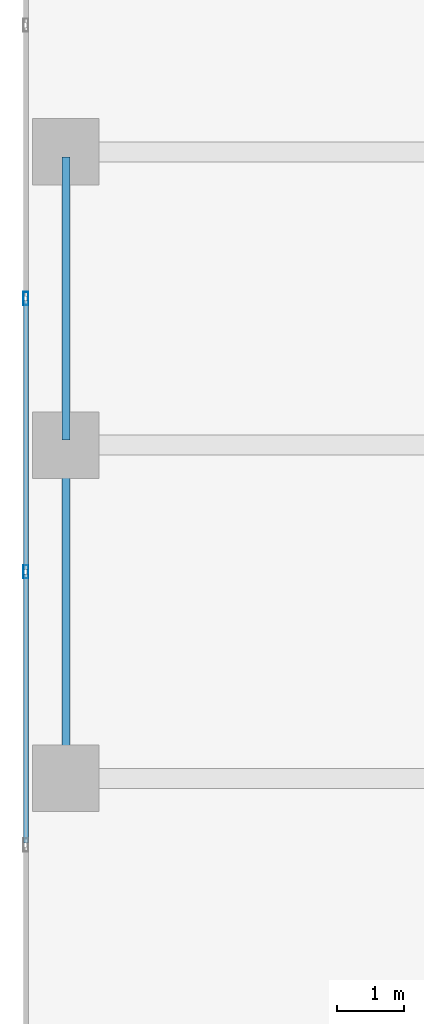
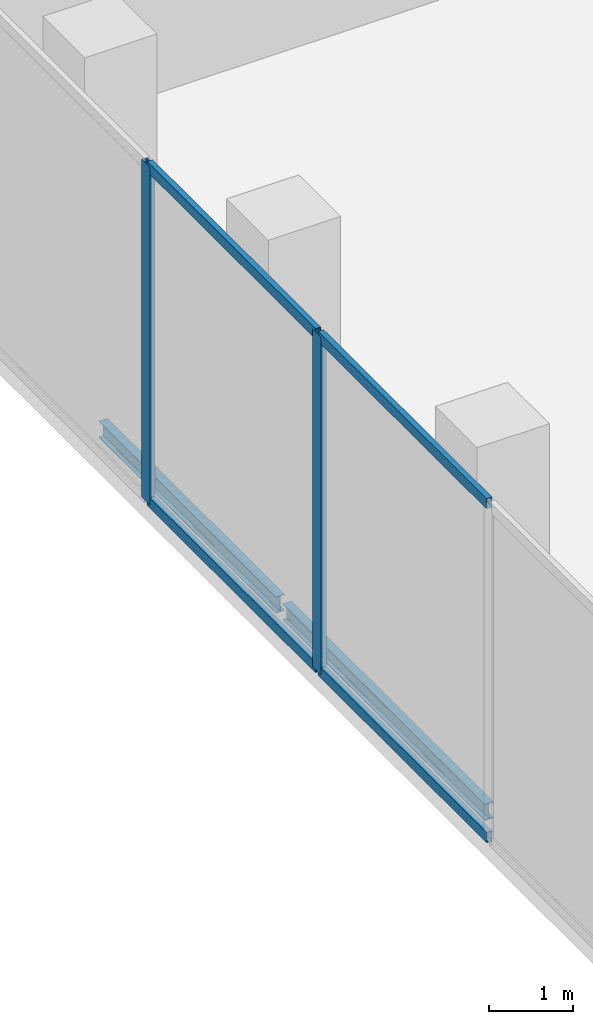
# One storey, part 3 of 24: 8 members, 1 element without a shape of its own.
"""IFC4 building model written with IfcOpenShell, lengths in metres."""

from ifc_helpers import new_model, si_unit, direction, frame, origin, origin_2d, place, context, subcontext, project, spatial, hollow_rectangle, i_section, extrude, material, layer, layer_set, material_profile, profile_set, type_object, element, aggregate, save


model = new_model("IFC4")

# Units and contexts
model_context = context("Model", 3, precision=1e-05, world=origin(), true_north=direction((0.0, 1.0)))
body_context = subcontext(model_context, "Body", "Model", "MODEL_VIEW")
ifc_project = project(units=[si_unit("LENGTHUNIT", "METRE"), si_unit("AREAUNIT", "SQUARE_METRE"), si_unit("VOLUMEUNIT", "CUBIC_METRE"), si_unit("PLANEANGLEUNIT", "RADIAN"), si_unit("MASSUNIT", "GRAM", prefix="KILO")], contexts=[model_context])

# Site, building, storey
site_placement = place(None, origin())
site = spatial("IfcSite", under=ifc_project, at=site_placement, CompositionType="ELEMENT")
building_placement = place(site_placement, origin())
building = spatial("IfcBuilding", under=site, at=building_placement, Name="Catumbela Crestline Tower", CompositionType="ELEMENT")
storey_placement = place(building_placement, frame((0.0, 0.0, 15.9)))
storey = spatial("IfcBuildingStorey", under=building, at=storey_placement, Name="L03", CompositionType="ELEMENT", Elevation=15.9)

# Members
ifc_material_1 = material(Name="Structural steel S355J2", Category="steel")
ifc_material_profile_1 = material_profile(ifc_material_1, i_section(OverallWidth=0.12, OverallDepth=0.24, WebThickness=0.0062, FlangeThickness=0.0098, FilletRadius=0.015, at=origin_2d()), Name="IPE 240")
ifc_profile_set_1 = profile_set([ifc_material_profile_1], Name="Structural steel S355J2")
member_type_1 = type_object("IfcMemberType", Name="MP-240", PredefinedType="PURLIN", material=ifc_profile_set_1)
member_1_placement = place(storey_placement, frame((0.6, 8.68, -0.44), z_axis=(0.0, 1.0, 0.0), x_axis=(-1.0, 0.0, 0.0)))
element("IfcMember", 1, at=member_1_placement, inside=storey, type_object=member_type_1, Name="L03 Ballroom West Perimeter Sub-Framing Purlin 1", PredefinedType="PURLIN", context=body_context, shape_type="SweptSolid", body=[
    extrude(i_section(OverallWidth=0.12, OverallDepth=0.24, WebThickness=0.0062, FlangeThickness=0.0098, FilletRadius=0.015, at=origin_2d()), origin(), (0.0, 0.0, 1.0), 4.84),
])
member_2_placement = place(storey_placement, frame((0.6, 13.68, -0.44), z_axis=(0.0, 1.0, 0.0), x_axis=(-1.0, 0.0, 0.0)))
element("IfcMember", 2, at=member_2_placement, inside=storey, type_object=member_type_1, Name="L03 Ballroom West Perimeter Sub-Framing Purlin 2", PredefinedType="PURLIN", context=body_context, shape_type="SweptSolid", body=[
    extrude(i_section(OverallWidth=0.12, OverallDepth=0.24, WebThickness=0.0062, FlangeThickness=0.0098, FilletRadius=0.015, at=origin_2d()), origin(), (0.0, 0.0, 1.0), 4.24),
])

# Curtain wall, members
ifc_material_2 = material(Name="Aluminium alloy AW-6060-T66", Category="aluminium")
ifc_layer = layer(ifc_material_2, 0.18, Name="Aluminium alloy AW-6060-T66")
ifc_layer_set = layer_set([ifc_layer], Name="Aluminium alloy AW-6060-T66")
curtain_wall_type = type_object("IfcCurtainWallType", Name="CWS-POD", PredefinedType="USERDEFINED", material=ifc_layer_set)
curtain_wall_placement = place(storey_placement, origin())
curtain_wall = element("IfcCurtainWall", 3, at=curtain_wall_placement, inside=storey, type_object=curtain_wall_type, Name="L03 Stick Curtain Wall CW-L03-E9S1", ObjectType="STICK", PredefinedType="USERDEFINED")
ifc_material_profile_2 = material_profile(ifc_material_2, hollow_rectangle(XDim=0.075, YDim=0.2, WallThickness=0.005, at=origin_2d()), Name="ALU 200x75x5")
ifc_profile_set_2 = profile_set([ifc_material_profile_2], Name="Aluminium alloy AW-6060-T66")
member_type_2 = type_object("IfcMemberType", Name="MUL-200X75", PredefinedType="MULLION", material=ifc_profile_set_2)
member_3_placement = place(storey_placement, frame((0.0, 15.8, 0.0), z_axis=(0.0, 0.0, 1.0), x_axis=(1.0, 0.0, 0.0)))
member_3 = element("IfcMember", 4, at=member_3_placement, type_object=member_type_2, Name="CWS-POD mullion 8", PredefinedType="MULLION", context=body_context, shape_type="SweptSolid", body=[
    extrude(hollow_rectangle(XDim=0.075, YDim=0.2, WallThickness=0.005, at=origin_2d()), origin(), (0.0, 0.0, 1.0), 4.94),
])
member_4_placement = place(storey_placement, frame((0.0, 11.7, 0.0), z_axis=(0.0, 0.0, 1.0), x_axis=(1.0, 0.0, 0.0)))
member_4 = element("IfcMember", 5, at=member_4_placement, type_object=member_type_2, Name="CWS-POD mullion 9", PredefinedType="MULLION", context=body_context, shape_type="SweptSolid", body=[
    extrude(hollow_rectangle(XDim=0.075, YDim=0.2, WallThickness=0.005, at=origin_2d()), origin(), (0.0, 0.0, 1.0), 4.94),
])
ifc_material_profile_3 = material_profile(ifc_material_2, hollow_rectangle(XDim=0.075, YDim=0.15, WallThickness=0.0045, at=origin_2d()), Name="ALU 150x75x4.5")
ifc_profile_set_3 = profile_set([ifc_material_profile_3], Name="Aluminium alloy AW-6060-T66")
member_type_3 = type_object("IfcMemberType", Name="TRN-150X75", PredefinedType="USERDEFINED", material=ifc_profile_set_3)
member_5_placement = place(storey_placement, frame((0.0, 15.7675, 0.03), z_axis=(0.0, -1.0, 0.0), x_axis=(1.0, 0.0, 0.0)))
member_5 = element("IfcMember", 6, at=member_5_placement, type_object=member_type_3, Name="CWS-POD transom 8.1", ObjectType="TRANSOM", PredefinedType="USERDEFINED", context=body_context, shape_type="SweptSolid", body=[
    extrude(hollow_rectangle(XDim=0.075, YDim=0.15, WallThickness=0.0045, at=origin_2d()), origin(), (0.0, 0.0, 1.0), 4.035),
])
member_6_placement = place(storey_placement, frame((0.0, 15.7675, 4.91), z_axis=(0.0, -1.0, 0.0), x_axis=(1.0, 0.0, 0.0)))
member_6 = element("IfcMember", 7, at=member_6_placement, type_object=member_type_3, Name="CWS-POD transom 8.2", ObjectType="TRANSOM", PredefinedType="USERDEFINED", context=body_context, shape_type="SweptSolid", body=[
    extrude(hollow_rectangle(XDim=0.075, YDim=0.15, WallThickness=0.0045, at=origin_2d()), origin(), (0.0, 0.0, 1.0), 4.035),
])
member_7_placement = place(storey_placement, frame((0.0, 11.6675, 0.03), z_axis=(0.0, -1.0, 0.0), x_axis=(1.0, 0.0, 0.0)))
member_7 = element("IfcMember", 8, at=member_7_placement, type_object=member_type_3, Name="CWS-POD transom 9.1", ObjectType="TRANSOM", PredefinedType="USERDEFINED", context=body_context, shape_type="SweptSolid", body=[
    extrude(hollow_rectangle(XDim=0.075, YDim=0.15, WallThickness=0.0045, at=origin_2d()), origin(), (0.0, 0.0, 1.0), 4.035),
])
member_8_placement = place(storey_placement, frame((0.0, 11.6675, 4.91), z_axis=(0.0, -1.0, 0.0), x_axis=(1.0, 0.0, 0.0)))
member_8 = element("IfcMember", 9, at=member_8_placement, type_object=member_type_3, Name="CWS-POD transom 9.2", ObjectType="TRANSOM", PredefinedType="USERDEFINED", context=body_context, shape_type="SweptSolid", body=[
    extrude(hollow_rectangle(XDim=0.075, YDim=0.15, WallThickness=0.0045, at=origin_2d()), origin(), (0.0, 0.0, 1.0), 4.035),
])
aggregate(curtain_wall, [member_3, member_4, member_5, member_6, member_7, member_8])

save(model, "model.ifc")
